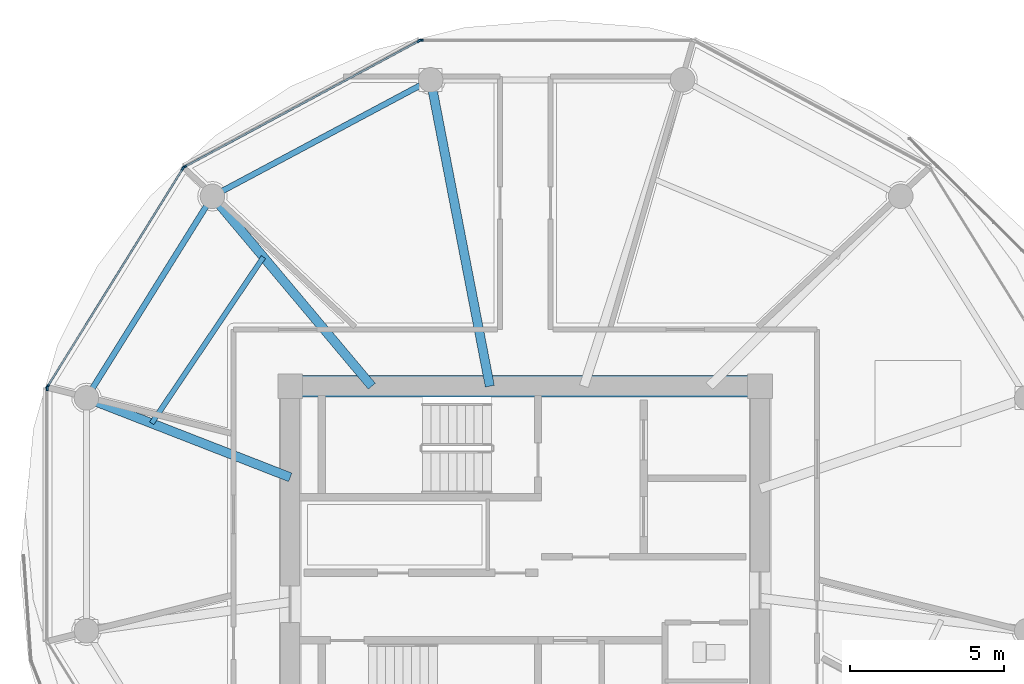
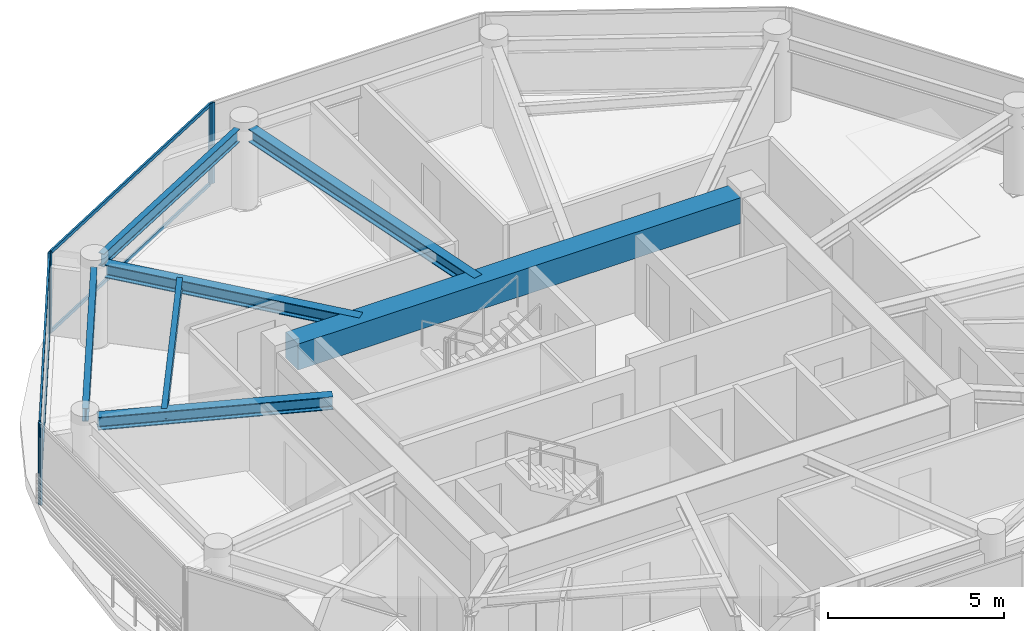
# One storey, part 4 of 28: 10 members, 7 beams, 4 elements without a shape of their own.
"""IFC4 building model written with IfcOpenShell, lengths in metres."""

from ifc_helpers import new_model, si_unit, direction, frame, origin, origin_2d, place, context, subcontext, project, spatial, rectangle, i_section, extrude, source, transform, mapped, material, layer, layer_set, material_profile, profile_set, type_object, type_shapes, element, aggregate, save


model = new_model("IFC4")

# Units and contexts
model_context = context("Model", 3, precision=1e-05, world=origin(), true_north=direction((0.0, 1.0)))
body_context = subcontext(model_context, "Body", "Model", "MODEL_VIEW")
ifc_project = project(units=[si_unit("LENGTHUNIT", "METRE"), si_unit("AREAUNIT", "SQUARE_METRE"), si_unit("VOLUMEUNIT", "CUBIC_METRE"), si_unit("PLANEANGLEUNIT", "RADIAN"), si_unit("MASSUNIT", "GRAM", prefix="KILO")], contexts=[model_context])

# Site, building, storey
site_placement = place(None, origin())
site = spatial("IfcSite", under=ifc_project, at=site_placement, CompositionType="ELEMENT")
building_placement = place(site_placement, origin())
building = spatial("IfcBuilding", under=site, at=building_placement, Name="Norrkilde Senior Care Towers", CompositionType="ELEMENT")
storey_placement = place(building_placement, frame((0.0, 0.0, 134.300048828125)))
storey = spatial("IfcBuildingStorey", under=building, at=storey_placement, Name="L41", CompositionType="ELEMENT", Elevation=134.300048828125)

# Beams
ifc_material_1 = material(Name="Concrete C60/75", Category="concrete")
ifc_material_profile_1 = material_profile(ifc_material_1, rectangle(XDim=0.699951171875, YDim=0.89990234375, at=origin_2d()), Name="RC BM 700x900")
ifc_profile_set_1 = profile_set([ifc_material_profile_1], Name="Concrete C60/75")
beam_type_1 = type_object("IfcBeamType", Name="Core Coupling Girder 700x900", PredefinedType="USERDEFINED", material=ifc_profile_set_1)
shared_shape_1 = source(origin(), body_context, "Body", "SweptSolid", [
    extrude(rectangle(XDim=0.699951171875, YDim=0.89990234375, at=origin_2d()), origin(), (0.0, 0.0, 1.0), 14.5400390625),
])
type_shapes(beam_type_1, [shared_shape_1])
beam_1_placement = place(storey_placement, frame((-35.27001953125, 5.949951171875, 2.35986328125), z_axis=(1.0, 0.0, 0.0), x_axis=(0.0, 1.0, 0.0)))
element("IfcBeam", 1, at=beam_1_placement, inside=storey, type_object=beam_type_1, Name="L41 Core W N Coupling Girder", ObjectType="GIRDER", PredefinedType="USERDEFINED", context=body_context, shape_type="MappedRepresentation", body=[
    mapped(shared_shape_1, transform((0.0, 0.0, 0.0), x_axis=(1.0, 0.0, 0.0), y_axis=(0.0, 1.0, 0.0), z_axis=(0.0, 0.0, 1.0), scale=1.0)),
])
ifc_material_2 = material(Name="Steel S355", Category="steel")
ifc_material_profile_2 = material_profile(ifc_material_2, i_section(OverallWidth=0.18994140625, OverallDepth=0.449951171875, WebThickness=0.009521484375, FlangeThickness=0.0146484375, FilletRadius=0.02099609375, at=origin_2d()), Name="IPE 450")
ifc_profile_set_2 = profile_set([ifc_material_profile_2], Name="Steel S355")
beam_type_2 = type_object("IfcBeamType", Name="Perimeter Ring Spandrel Z3 IPE450", PredefinedType="SPANDREL", material=ifc_profile_set_2)
shared_shape_2 = source(origin(), body_context, "Body", "SweptSolid", [
    extrude(i_section(OverallWidth=0.18994140625, OverallDepth=0.449951171875, WebThickness=0.009521484375, FlangeThickness=0.0146484375, FilletRadius=0.02099609375, at=origin_2d()), origin(), (0.0, 0.0, 1.0), 7.0234375),
])
beam_2_placement = place(storey_placement, frame((-38.373291015625, 11.8291015625, 2.5849609375), z_axis=(-0.529789577822, -0.848129119433, 0.0), x_axis=(0.848129119433, -0.529789577822, 0.0)))
element("IfcBeam", 2, at=beam_2_placement, inside=storey, type_object=beam_type_2, Name="L41 Drum W Perimeter Spandrel 05", PredefinedType="SPANDREL", context=body_context, shape_type="MappedRepresentation", body=[
    mapped(shared_shape_2, transform((0.0, 0.0, 0.0), x_axis=(1.0, 0.0, 0.0), y_axis=(0.0, 1.0, 0.0), z_axis=(0.0, 0.0, 1.0), scale=1.0)),
])
shared_shape_3 = source(origin(), body_context, "Body", "SweptSolid", [
    extrude(i_section(OverallWidth=0.18994140625, OverallDepth=0.449951171875, WebThickness=0.009521484375, FlangeThickness=0.0146484375, FilletRadius=0.02099609375, at=origin_2d()), origin(), (0.0, 0.0, 1.0), 7.333740234375),
])
type_shapes(beam_type_2, [shared_shape_2, shared_shape_3])
beam_3_placement = place(storey_placement, frame((-31.394775390625, 15.756591796875, 2.5849609375), z_axis=(-0.882247866069, -0.470785198172, 0.0), x_axis=(0.470785198172, -0.882247866069, 0.0)))
element("IfcBeam", 3, at=beam_3_placement, inside=storey, type_object=beam_type_2, Name="L41 Drum W Perimeter Spandrel 04", PredefinedType="SPANDREL", context=body_context, shape_type="MappedRepresentation", body=[
    mapped(shared_shape_3, transform((0.0, 0.0, 0.0), x_axis=(1.0, 0.0, 0.0), y_axis=(0.0, 1.0, 0.0), z_axis=(0.0, 0.0, 1.0), scale=1.0)),
])
ifc_material_profile_3 = material_profile(ifc_material_2, i_section(OverallWidth=0.300048828125, OverallDepth=0.449951171875, WebThickness=0.013916015625, FlangeThickness=0.02587890625, FilletRadius=0.027099609375, at=origin_2d()), Name="HEB 450")
ifc_profile_set_3 = profile_set([ifc_material_profile_3], Name="Steel S355")
beam_type_3 = type_object("IfcBeamType", Name="Radial Floor Beam Z3 HEB450", PredefinedType="BEAM", material=ifc_profile_set_3)
shared_shape_4 = source(origin(), body_context, "Body", "SweptSolid", [
    extrude(i_section(OverallWidth=0.300048828125, OverallDepth=0.449951171875, WebThickness=0.013916015625, FlangeThickness=0.02587890625, FilletRadius=0.027099609375, at=origin_2d()), origin(), (0.0, 0.0, 1.0), 9.80078125),
])
beam_4_placement = place(storey_placement, frame((-29.149658203125, 5.949951171875, 2.5849609375), z_axis=(-0.189716727661, 0.98183886827, 0.0), x_axis=(-0.98183886827, -0.189716727661, 0.0)))
element("IfcBeam", 4, at=beam_4_placement, inside=storey, type_object=beam_type_3, Name="L41 Drum W Radial Floor Beam 04", PredefinedType="BEAM", context=body_context, shape_type="MappedRepresentation", body=[
    mapped(shared_shape_4, transform((0.0, 0.0, 0.0), x_axis=(1.0, 0.0, 0.0), y_axis=(0.0, 1.0, 0.0), z_axis=(0.0, 0.0, 1.0), scale=1.0)),
])
shared_shape_5 = source(origin(), body_context, "Body", "SweptSolid", [
    extrude(i_section(OverallWidth=0.300048828125, OverallDepth=0.449951171875, WebThickness=0.013916015625, FlangeThickness=0.02587890625, FilletRadius=0.027099609375, at=origin_2d()), origin(), (0.0, 0.0, 1.0), 7.71337890625),
])
beam_5_placement = place(storey_placement, frame((-32.992919921875, 5.949951171875, 2.5849609375), z_axis=(-0.642808239864, 0.766027131872, 0.0), x_axis=(-0.766027131872, -0.642808239864, 0.0)))
element("IfcBeam", 5, at=beam_5_placement, inside=storey, type_object=beam_type_3, Name="L41 Drum W Radial Floor Beam 05", PredefinedType="BEAM", context=body_context, shape_type="MappedRepresentation", body=[
    mapped(shared_shape_5, transform((0.0, 0.0, 0.0), x_axis=(1.0, 0.0, 0.0), y_axis=(0.0, 1.0, 0.0), z_axis=(0.0, 0.0, 1.0), scale=1.0)),
])
shared_shape_6 = source(origin(), body_context, "Body", "SweptSolid", [
    extrude(i_section(OverallWidth=0.300048828125, OverallDepth=0.449951171875, WebThickness=0.013916015625, FlangeThickness=0.02587890625, FilletRadius=0.027099609375, at=origin_2d()), origin(), (0.0, 0.0, 1.0), 6.760986328125),
])
type_shapes(beam_type_3, [shared_shape_4, shared_shape_5, shared_shape_6])
beam_6_placement = place(storey_placement, frame((-35.64990234375, 2.981201171875, 2.5849609375), z_axis=(-0.931742171387, 0.363120539297, 0.0), x_axis=(-0.363120539297, -0.931742171387, 0.0)))
element("IfcBeam", 6, at=beam_6_placement, inside=storey, type_object=beam_type_3, Name="L41 Drum W Radial Floor Beam 06", PredefinedType="BEAM", context=body_context, shape_type="MappedRepresentation", body=[
    mapped(shared_shape_6, transform((0.0, 0.0, 0.0), x_axis=(1.0, 0.0, 0.0), y_axis=(0.0, 1.0, 0.0), z_axis=(0.0, 0.0, 1.0), scale=1.0)),
])
ifc_material_profile_4 = material_profile(ifc_material_2, i_section(OverallWidth=0.169921875, OverallDepth=0.360107421875, WebThickness=0.008056640625, FlangeThickness=0.0126953125, FilletRadius=0.01806640625, at=origin_2d()), Name="IPE 360")
ifc_profile_set_4 = profile_set([ifc_material_profile_4], Name="Steel S355")
beam_type_4 = type_object("IfcBeamType", Name="Secondary Floor Joist IPE360", PredefinedType="JOIST", material=ifc_profile_set_4)
shared_shape_7 = source(origin(), body_context, "Body", "SweptSolid", [
    extrude(i_section(OverallWidth=0.169921875, OverallDepth=0.360107421875, WebThickness=0.008056640625, FlangeThickness=0.0126953125, FilletRadius=0.01806640625, at=origin_2d()), origin(), (0.0, 0.0, 1.0), 6.525390625),
])
type_shapes(beam_type_4, [shared_shape_7])
beam_7_placement = place(storey_placement, frame((-36.52197265625, 10.155517578125, 2.6298828125), z_axis=(-0.55779590102, -0.829978152005, 0.0), x_axis=(0.829978152005, -0.55779590102, 0.0)))
element("IfcBeam", 7, at=beam_7_placement, inside=storey, type_object=beam_type_4, Name="L41 Drum W Secondary Floor Joist 2", PredefinedType="JOIST", context=body_context, shape_type="MappedRepresentation", body=[
    mapped(shared_shape_7, transform((0.0, 0.0, 0.0), x_axis=(1.0, 0.0, 0.0), y_axis=(0.0, 1.0, 0.0), z_axis=(0.0, 0.0, 1.0), scale=1.0)),
])

# Curtain wall, member
ifc_material_3 = material(Name="Triple Low-E Insulated Glazing", Category="glass")
ifc_layer = layer(ifc_material_3, 0.18994140625)
ifc_layer_set = layer_set([ifc_layer], Name="Triple Low-E Insulated Glazing")
curtain_wall_type = type_object("IfcCurtainWallType", Name="CW4 Zone 3 Senior Residence Curtain Wall", PredefinedType="NOTDEFINED", material=ifc_layer_set)
curtain_wall_1_placement = place(storey_placement, origin())
curtain_wall_1 = element("IfcCurtainWall", 8, at=curtain_wall_1_placement, inside=storey, type_object=curtain_wall_type, Name="L41 Drum W Curtain Wall 02", PredefinedType="NOTDEFINED")
ifc_material_4 = material(Name="Anodised Aluminium", Category="aluminium")
ifc_material_profile_5 = material_profile(ifc_material_4, rectangle(XDim=0.06494140625, YDim=0.14990234375, at=origin_2d()), Name="ALU MULL 65x150")
ifc_profile_set_5 = profile_set([ifc_material_profile_5], Name="Anodised Aluminium")
member_type_1 = type_object("IfcMemberType", Name="Curtain Wall Mullion Z3-Z4 65x150", PredefinedType="MULLION", material=ifc_profile_set_5)
shared_shape_8 = source(origin(), body_context, "Body", "SweptSolid", [
    extrude(rectangle(XDim=0.06494140625, YDim=0.14990234375, at=origin_2d()), origin(), (0.0, 0.0, 1.0), 2.81005859375),
])
type_shapes(member_type_1, [shared_shape_8])
member_1_placement = place(storey_placement, frame((-31.388916015625, 17.2109375, 0.0), z_axis=(0.0, 0.0, 1.0), x_axis=(0.0, 1.0, 0.0)))
member_1 = element("IfcMember", 9, at=member_1_placement, type_object=member_type_1, Name="CW-4 mullion 1", PredefinedType="MULLION", context=body_context, shape_type="MappedRepresentation", body=[
    mapped(shared_shape_8, transform((0.0, 0.0, 0.0), x_axis=(1.0, 0.0, 0.0), y_axis=(0.0, 1.0, 0.0), z_axis=(0.0, 0.0, 1.0), scale=1.0)),
])
aggregate(curtain_wall_1, [member_1])

# Curtain wall, members
curtain_wall_2_placement = place(storey_placement, origin())
curtain_wall_2 = element("IfcCurtainWall", 10, at=curtain_wall_2_placement, inside=storey, type_object=curtain_wall_type, Name="L41 Drum W Curtain Wall 03", PredefinedType="NOTDEFINED")
member_2_placement = place(storey_placement, frame((-39.094482421875, 13.09033203125, 0.0), z_axis=(0.0, 0.0, 1.0), x_axis=(-0.47311715104, 0.880999524059, 0.0)))
member_2 = element("IfcMember", 11, at=member_2_placement, type_object=member_type_1, Name="CW-4 mullion 1", PredefinedType="MULLION", context=body_context, shape_type="MappedRepresentation", body=[
    mapped(shared_shape_8, transform((0.0, 0.0, 0.0), x_axis=(1.0, 0.0, 0.0), y_axis=(0.0, 1.0, 0.0), z_axis=(0.0, 0.0, 1.0), scale=1.0)),
])
member_3_placement = place(storey_placement, frame((-31.4501953125, 17.195556640625, 0.0), z_axis=(0.0, 0.0, 1.0), x_axis=(-0.47311715104, 0.880999524059, 0.0)))
member_3 = element("IfcMember", 12, at=member_3_placement, type_object=member_type_1, Name="CW-4 mullion 2", PredefinedType="MULLION", context=body_context, shape_type="MappedRepresentation", body=[
    mapped(shared_shape_8, transform((0.0, 0.0, 0.0), x_axis=(1.0, 0.0, 0.0), y_axis=(0.0, 1.0, 0.0), z_axis=(0.0, 0.0, 1.0), scale=1.0)),
])

curtain_wall_3_placement = place(storey_placement, origin())
curtain_wall_3 = element("IfcCurtainWall", 13, at=curtain_wall_3_placement, inside=storey, type_object=curtain_wall_type, Name="L41 Drum W Curtain Wall 04", PredefinedType="NOTDEFINED")
member_4_placement = place(storey_placement, frame((-43.552490234375, 5.93896484375, 0.0), z_axis=(0.0, 0.0, 1.0), x_axis=(-0.84963405474, 0.52737270789, 0.0)))
member_4 = element("IfcMember", 14, at=member_4_placement, type_object=member_type_1, Name="CW-4 mullion 1", PredefinedType="MULLION", context=body_context, shape_type="MappedRepresentation", body=[
    mapped(shared_shape_8, transform((0.0, 0.0, 0.0), x_axis=(1.0, 0.0, 0.0), y_axis=(0.0, 1.0, 0.0), z_axis=(0.0, 0.0, 1.0), scale=1.0)),
])
member_5_placement = place(storey_placement, frame((-39.14013671875, 13.04736328125, 0.0), z_axis=(0.0, 0.0, 1.0), x_axis=(-0.84963405474, 0.52737270789, 0.0)))
member_5 = element("IfcMember", 15, at=member_5_placement, type_object=member_type_1, Name="CW-4 mullion 2", PredefinedType="MULLION", context=body_context, shape_type="MappedRepresentation", body=[
    mapped(shared_shape_8, transform((0.0, 0.0, 0.0), x_axis=(1.0, 0.0, 0.0), y_axis=(0.0, 1.0, 0.0), z_axis=(0.0, 0.0, 1.0), scale=1.0)),
])

# Curtain wall, member
curtain_wall_4_placement = place(storey_placement, origin())
curtain_wall_4 = element("IfcCurtainWall", 16, at=curtain_wall_4_placement, inside=storey, type_object=curtain_wall_type, Name="L41 Drum W Curtain Wall 05", PredefinedType="NOTDEFINED")
member_6_placement = place(storey_placement, frame((-43.569580078125, 5.878662109375, 0.0), z_axis=(0.0, 0.0, 1.0), x_axis=(-1.0, 0.0, 0.0)))
member_6 = element("IfcMember", 17, at=member_6_placement, type_object=member_type_1, Name="CW-4 mullion 2", PredefinedType="MULLION", context=body_context, shape_type="MappedRepresentation", body=[
    mapped(shared_shape_8, transform((0.0, 0.0, 0.0), x_axis=(1.0, 0.0, 0.0), y_axis=(0.0, 1.0, 0.0), z_axis=(0.0, 0.0, 1.0), scale=1.0)),
])
aggregate(curtain_wall_4, [member_6])

# Member
ifc_material_profile_6 = material_profile(ifc_material_4, rectangle(XDim=0.06005859375, YDim=0.1201171875, at=origin_2d()), Name="ALU TRAN 60x120")
ifc_profile_set_6 = profile_set([ifc_material_profile_6], Name="Anodised Aluminium")
member_type_2 = type_object("IfcMemberType", Name="Curtain Wall Transom Typical 60x120", PredefinedType="USERDEFINED", material=ifc_profile_set_6)
shared_shape_9 = source(origin(), body_context, "Body", "SweptSolid", [
    extrude(rectangle(XDim=0.06005859375, YDim=0.1201171875, at=origin_2d()), origin(), (0.0, 0.0, 1.0), 8.301513671875),
])
member_7_placement = place(storey_placement, frame((-43.535400390625, 5.966552734375, 0.030029296875), z_axis=(0.527368718394, 0.849636531029, 0.0), x_axis=(-0.849636531029, 0.527368718394, 0.0)))
member_7 = element("IfcMember", 18, at=member_7_placement, type_object=member_type_2, Name="CW-4 transom 1.1", ObjectType="TRANSOM", PredefinedType="USERDEFINED", context=body_context, shape_type="MappedRepresentation", body=[
    mapped(shared_shape_9, transform((0.0, 0.0, 0.0), x_axis=(1.0, 0.0, 0.0), y_axis=(0.0, 1.0, 0.0), z_axis=(0.0, 0.0, 1.0), scale=1.0)),
])

member_8_placement = place(storey_placement, frame((-43.535400390625, 5.966552734375, 2.780029296875), z_axis=(0.527368718394, 0.849636531029, 0.0), x_axis=(-0.849636531029, 0.527368718394, 0.0)))
member_8 = element("IfcMember", 19, at=member_8_placement, type_object=member_type_2, Name="CW-4 transom 1.2", ObjectType="TRANSOM", PredefinedType="USERDEFINED", context=body_context, shape_type="MappedRepresentation", body=[
    mapped(shared_shape_9, transform((0.0, 0.0, 0.0), x_axis=(1.0, 0.0, 0.0), y_axis=(0.0, 1.0, 0.0), z_axis=(0.0, 0.0, 1.0), scale=1.0)),
])

aggregate(curtain_wall_3, [member_4, member_5, member_7, member_8])

shared_shape_10 = source(origin(), body_context, "Body", "SweptSolid", [
    extrude(rectangle(XDim=0.06005859375, YDim=0.1201171875, at=origin_2d()), origin(), (0.0, 0.0, 1.0), 8.612060546875),
])
type_shapes(member_type_2, [shared_shape_9, shared_shape_10])
member_9_placement = place(storey_placement, frame((-39.06591796875, 13.105712890625, 0.030029296875), z_axis=(0.881000337462, 0.473115636384, 0.0), x_axis=(-0.473115636384, 0.881000337462, 0.0)))
member_9 = element("IfcMember", 20, at=member_9_placement, type_object=member_type_2, Name="CW-4 transom 1.1", ObjectType="TRANSOM", PredefinedType="USERDEFINED", context=body_context, shape_type="MappedRepresentation", body=[
    mapped(shared_shape_10, transform((0.0, 0.0, 0.0), x_axis=(1.0, 0.0, 0.0), y_axis=(0.0, 1.0, 0.0), z_axis=(0.0, 0.0, 1.0), scale=1.0)),
])

member_10_placement = place(storey_placement, frame((-39.06591796875, 13.105712890625, 2.780029296875), z_axis=(0.881000337462, 0.473115636384, 0.0), x_axis=(-0.473115636384, 0.881000337462, 0.0)))
member_10 = element("IfcMember", 21, at=member_10_placement, type_object=member_type_2, Name="CW-4 transom 1.2", ObjectType="TRANSOM", PredefinedType="USERDEFINED", context=body_context, shape_type="MappedRepresentation", body=[
    mapped(shared_shape_10, transform((0.0, 0.0, 0.0), x_axis=(1.0, 0.0, 0.0), y_axis=(0.0, 1.0, 0.0), z_axis=(0.0, 0.0, 1.0), scale=1.0)),
])

aggregate(curtain_wall_2, [member_2, member_3, member_9, member_10])

save(model, "model.ifc")
